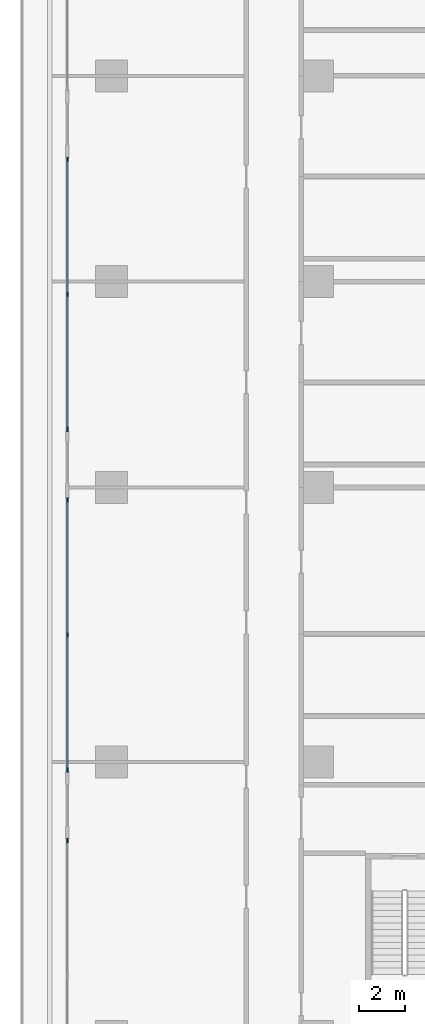
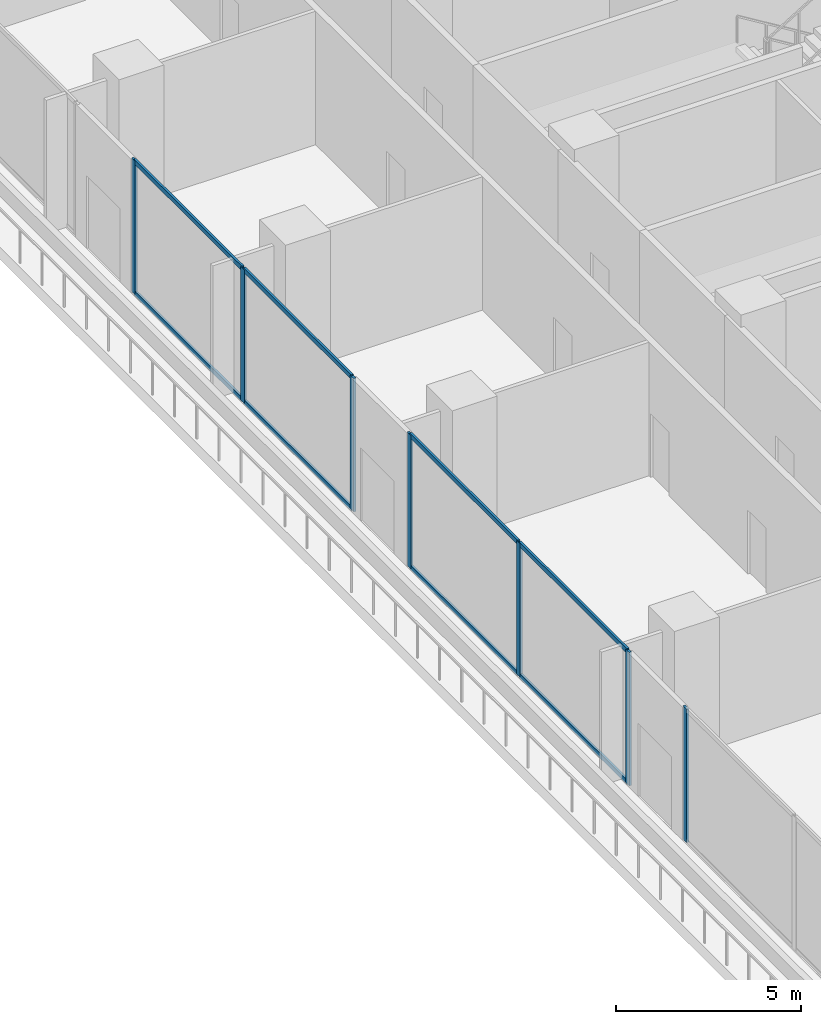
# One storey, part 5 of 31: 15 members, 3 elements without a shape of their own.
"""IFC4 building model written with IfcOpenShell, lengths in metres."""

from ifc_helpers import new_model, si_unit, direction, frame, origin, origin_2d, place, context, subcontext, project, spatial, rectangle, extrude, material, layer, layer_set, material_profile, profile_set, type_object, element, aggregate, save


model = new_model("IFC4")

# Units and contexts
model_context = context("Model", 3, precision=1e-05, world=origin(), true_north=direction((0.0, 1.0)))
body_context = subcontext(model_context, "Body", "Model", "MODEL_VIEW")
ifc_project = project(units=[si_unit("LENGTHUNIT", "METRE"), si_unit("AREAUNIT", "SQUARE_METRE"), si_unit("VOLUMEUNIT", "CUBIC_METRE"), si_unit("PLANEANGLEUNIT", "RADIAN"), si_unit("MASSUNIT", "GRAM", prefix="KILO")], contexts=[model_context])

# Site, building, storey
site_placement = place(None, origin())
site = spatial("IfcSite", under=ifc_project, at=site_placement, CompositionType="ELEMENT")
building_placement = place(site_placement, origin())
building = spatial("IfcBuilding", under=site, at=building_placement, Name="Chenar Terraces", CompositionType="ELEMENT")
storey_placement = place(building_placement, frame((0.0, 0.0, 12.0)))
storey = spatial("IfcBuildingStorey", under=building, at=storey_placement, Name="L02", CompositionType="ELEMENT", Elevation=12.0)

# Curtain wall, members
ifc_material_1 = material(Name="Aluminium framed glazing", Category="aluminium")
ifc_layer = layer(ifc_material_1, 0.14990234375)
ifc_layer_set = layer_set([ifc_layer], Name="Aluminium framed glazing")
curtain_wall_type = type_object("IfcCurtainWallType", Name="School curtain wall", PredefinedType="NOTDEFINED", material=ifc_layer_set)
placement = place(storey_placement, origin())
curtain_wall_1 = element("IfcCurtainWall", 1, at=placement, inside=storey, type_object=curtain_wall_type, Name="School curtain wall", PredefinedType="NOTDEFINED")
ifc_material_2 = material(Name="Aluminium", Category="aluminium")
ifc_material_profile_1 = material_profile(ifc_material_2, rectangle(XDim=0.070068359375, YDim=0.199951171875, at=origin_2d()), Name="School glazing mullion 70 x 200")
ifc_profile_set_1 = profile_set([ifc_material_profile_1], Name="Aluminium")
member_type_1 = type_object("IfcMemberType", Name="School glazing mullion 70 x 200", PredefinedType="MULLION", material=ifc_profile_set_1)
member_1_placement = place(storey_placement, frame((-10.925048828125, 50.344970703125, 0.0), z_axis=(0.0, 0.0, 1.0), x_axis=(1.0, 0.0, 0.0)))
member_1 = element("IfcMember", 2, at=member_1_placement, type_object=member_type_1, Name="CW2-05c1 mullion 1", PredefinedType="MULLION", context=body_context, shape_type="SweptSolid", body=[
    extrude(rectangle(XDim=0.070068359375, YDim=0.199951171875, at=origin_2d()), origin(), (0.0, 0.0, 1.0), 4.39990234375),
])
member_2_placement = place(storey_placement, frame((-10.925048828125, 44.4462890625, 0.0), z_axis=(0.0, 0.0, 1.0), x_axis=(1.0, 0.0, 0.0)))
member_2 = element("IfcMember", 3, at=member_2_placement, type_object=member_type_1, Name="CW2-05c1 mullion 2", PredefinedType="MULLION", context=body_context, shape_type="SweptSolid", body=[
    extrude(rectangle(XDim=0.070068359375, YDim=0.199951171875, at=origin_2d()), origin(), (0.0, 0.0, 1.0), 4.39990234375),
])
member_3_placement = place(storey_placement, frame((-10.925048828125, 38.547607421875, 0.0), z_axis=(0.0, 0.0, 1.0), x_axis=(1.0, 0.0, 0.0)))
member_3 = element("IfcMember", 4, at=member_3_placement, type_object=member_type_1, Name="CW2-05c1 mullion 3", PredefinedType="MULLION", context=body_context, shape_type="SweptSolid", body=[
    extrude(rectangle(XDim=0.070068359375, YDim=0.199951171875, at=origin_2d()), origin(), (0.0, 0.0, 1.0), 4.39990234375),
])

curtain_wall_2 = element("IfcCurtainWall", 5, at=placement, inside=storey, type_object=curtain_wall_type, Name="School curtain wall", PredefinedType="NOTDEFINED")
member_4_placement = place(storey_placement, frame((-10.925048828125, 35.452392578125, 0.0), z_axis=(0.0, 0.0, 1.0), x_axis=(1.0, 0.0, 0.0)))
member_4 = element("IfcMember", 6, at=member_4_placement, type_object=member_type_1, Name="CW2-05c2 mullion 1", PredefinedType="MULLION", context=body_context, shape_type="SweptSolid", body=[
    extrude(rectangle(XDim=0.070068359375, YDim=0.199951171875, at=origin_2d()), origin(), (0.0, 0.0, 1.0), 4.39990234375),
])
member_5_placement = place(storey_placement, frame((-10.925048828125, 29.5537109375, 0.0), z_axis=(0.0, 0.0, 1.0), x_axis=(1.0, 0.0, 0.0)))
member_5 = element("IfcMember", 7, at=member_5_placement, type_object=member_type_1, Name="CW2-05c2 mullion 2", PredefinedType="MULLION", context=body_context, shape_type="SweptSolid", body=[
    extrude(rectangle(XDim=0.070068359375, YDim=0.199951171875, at=origin_2d()), origin(), (0.0, 0.0, 1.0), 4.39990234375),
])
member_6_placement = place(storey_placement, frame((-10.925048828125, 23.655029296875, 0.0), z_axis=(0.0, 0.0, 1.0), x_axis=(1.0, 0.0, 0.0)))
member_6 = element("IfcMember", 8, at=member_6_placement, type_object=member_type_1, Name="CW2-05c2 mullion 3", PredefinedType="MULLION", context=body_context, shape_type="SweptSolid", body=[
    extrude(rectangle(XDim=0.070068359375, YDim=0.199951171875, at=origin_2d()), origin(), (0.0, 0.0, 1.0), 4.39990234375),
])

# Curtain wall, member
curtain_wall_3 = element("IfcCurtainWall", 9, at=placement, inside=storey, type_object=curtain_wall_type, Name="School curtain wall", PredefinedType="NOTDEFINED")
member_7_placement = place(storey_placement, frame((-10.925048828125, 20.56005859375, 0.0), z_axis=(0.0, 0.0, 1.0), x_axis=(1.0, 0.0, 0.0)))
member_7 = element("IfcMember", 10, at=member_7_placement, type_object=member_type_1, Name="CW2-05c3 mullion 1", PredefinedType="MULLION", context=body_context, shape_type="SweptSolid", body=[
    extrude(rectangle(XDim=0.070068359375, YDim=0.199951171875, at=origin_2d()), origin(), (0.0, 0.0, 1.0), 4.39990234375),
])
aggregate(curtain_wall_3, [member_7])

# Member
ifc_material_3 = material(Name="Aluminium", Category="aluminium")
ifc_material_profile_2 = material_profile(ifc_material_3, rectangle(XDim=0.070068359375, YDim=0.14990234375, at=origin_2d()), Name="School glazing transom 70 x 150")
ifc_profile_set_2 = profile_set([ifc_material_profile_2], Name="Aluminium")
member_type_2 = type_object("IfcMemberType", Name="School glazing transom 70 x 150", PredefinedType="USERDEFINED", material=ifc_profile_set_2)
member_8_placement = place(storey_placement, frame((-10.925048828125, 50.31005859375, 0.034912109375), z_axis=(0.0, -1.0, 0.0), x_axis=(1.0, 0.0, 0.0)))
member_8 = element("IfcMember", 11, at=member_8_placement, type_object=member_type_2, Name="CW2-05c1 transom 1.1", ObjectType="TRANSOM", PredefinedType="USERDEFINED", context=body_context, shape_type="SweptSolid", body=[
    extrude(rectangle(XDim=0.070068359375, YDim=0.14990234375, at=origin_2d()), origin(), (0.0, 0.0, 1.0), 5.828857421875),
])

member_9_placement = place(storey_placement, frame((-10.925048828125, 50.31005859375, 4.364990234375), z_axis=(0.0, -1.0, 0.0), x_axis=(1.0, 0.0, 0.0)))
member_9 = element("IfcMember", 12, at=member_9_placement, type_object=member_type_2, Name="CW2-05c1 transom 1.2", ObjectType="TRANSOM", PredefinedType="USERDEFINED", context=body_context, shape_type="SweptSolid", body=[
    extrude(rectangle(XDim=0.070068359375, YDim=0.14990234375, at=origin_2d()), origin(), (0.0, 0.0, 1.0), 5.828857421875),
])

member_10_placement = place(storey_placement, frame((-10.925048828125, 44.4111328125, 0.034912109375), z_axis=(0.0, -1.0, 0.0), x_axis=(1.0, 0.0, 0.0)))
member_10 = element("IfcMember", 13, at=member_10_placement, type_object=member_type_2, Name="CW2-05c1 transom 2.1", ObjectType="TRANSOM", PredefinedType="USERDEFINED", context=body_context, shape_type="SweptSolid", body=[
    extrude(rectangle(XDim=0.070068359375, YDim=0.14990234375, at=origin_2d()), origin(), (0.0, 0.0, 1.0), 5.82861328125),
])

member_11_placement = place(storey_placement, frame((-10.925048828125, 44.4111328125, 4.364990234375), z_axis=(0.0, -1.0, 0.0), x_axis=(1.0, 0.0, 0.0)))
member_11 = element("IfcMember", 14, at=member_11_placement, type_object=member_type_2, Name="CW2-05c1 transom 2.2", ObjectType="TRANSOM", PredefinedType="USERDEFINED", context=body_context, shape_type="SweptSolid", body=[
    extrude(rectangle(XDim=0.070068359375, YDim=0.14990234375, at=origin_2d()), origin(), (0.0, 0.0, 1.0), 5.82861328125),
])

aggregate(curtain_wall_1, [member_1, member_2, member_3, member_8, member_9, member_10, member_11])

member_12_placement = place(storey_placement, frame((-10.925048828125, 35.41748046875, 0.034912109375), z_axis=(0.0, -1.0, 0.0), x_axis=(1.0, 0.0, 0.0)))
member_12 = element("IfcMember", 15, at=member_12_placement, type_object=member_type_2, Name="CW2-05c2 transom 1.1", ObjectType="TRANSOM", PredefinedType="USERDEFINED", context=body_context, shape_type="SweptSolid", body=[
    extrude(rectangle(XDim=0.070068359375, YDim=0.14990234375, at=origin_2d()), origin(), (0.0, 0.0, 1.0), 5.82861328125),
])

member_13_placement = place(storey_placement, frame((-10.925048828125, 35.41748046875, 4.364990234375), z_axis=(0.0, -1.0, 0.0), x_axis=(1.0, 0.0, 0.0)))
member_13 = element("IfcMember", 16, at=member_13_placement, type_object=member_type_2, Name="CW2-05c2 transom 1.2", ObjectType="TRANSOM", PredefinedType="USERDEFINED", context=body_context, shape_type="SweptSolid", body=[
    extrude(rectangle(XDim=0.070068359375, YDim=0.14990234375, at=origin_2d()), origin(), (0.0, 0.0, 1.0), 5.82861328125),
])

member_14_placement = place(storey_placement, frame((-10.925048828125, 29.518798828125, 0.034912109375), z_axis=(0.0, -1.0, 0.0), x_axis=(1.0, 0.0, 0.0)))
member_14 = element("IfcMember", 17, at=member_14_placement, type_object=member_type_2, Name="CW2-05c2 transom 2.1", ObjectType="TRANSOM", PredefinedType="USERDEFINED", context=body_context, shape_type="SweptSolid", body=[
    extrude(rectangle(XDim=0.070068359375, YDim=0.14990234375, at=origin_2d()), origin(), (0.0, 0.0, 1.0), 5.828857421875),
])

member_15_placement = place(storey_placement, frame((-10.925048828125, 29.518798828125, 4.364990234375), z_axis=(0.0, -1.0, 0.0), x_axis=(1.0, 0.0, 0.0)))
member_15 = element("IfcMember", 18, at=member_15_placement, type_object=member_type_2, Name="CW2-05c2 transom 2.2", ObjectType="TRANSOM", PredefinedType="USERDEFINED", context=body_context, shape_type="SweptSolid", body=[
    extrude(rectangle(XDim=0.070068359375, YDim=0.14990234375, at=origin_2d()), origin(), (0.0, 0.0, 1.0), 5.828857421875),
])

aggregate(curtain_wall_2, [member_4, member_5, member_6, member_12, member_13, member_14, member_15])

save(model, "model.ifc")
